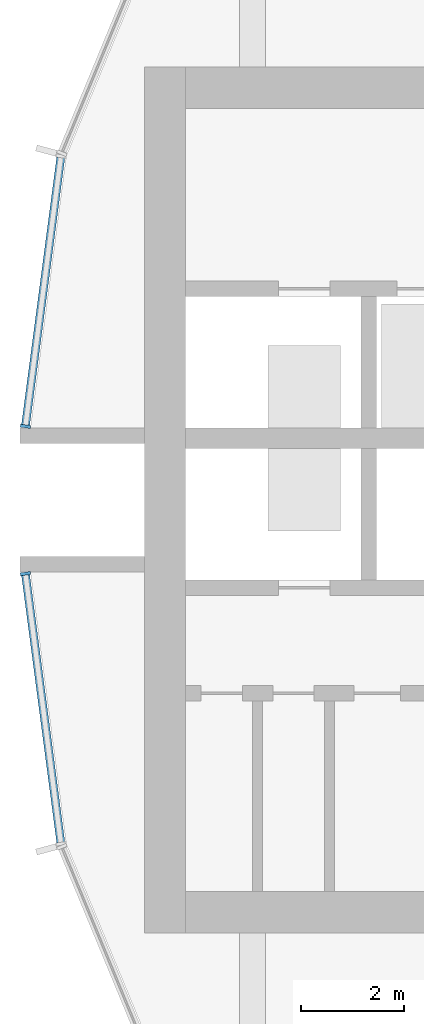
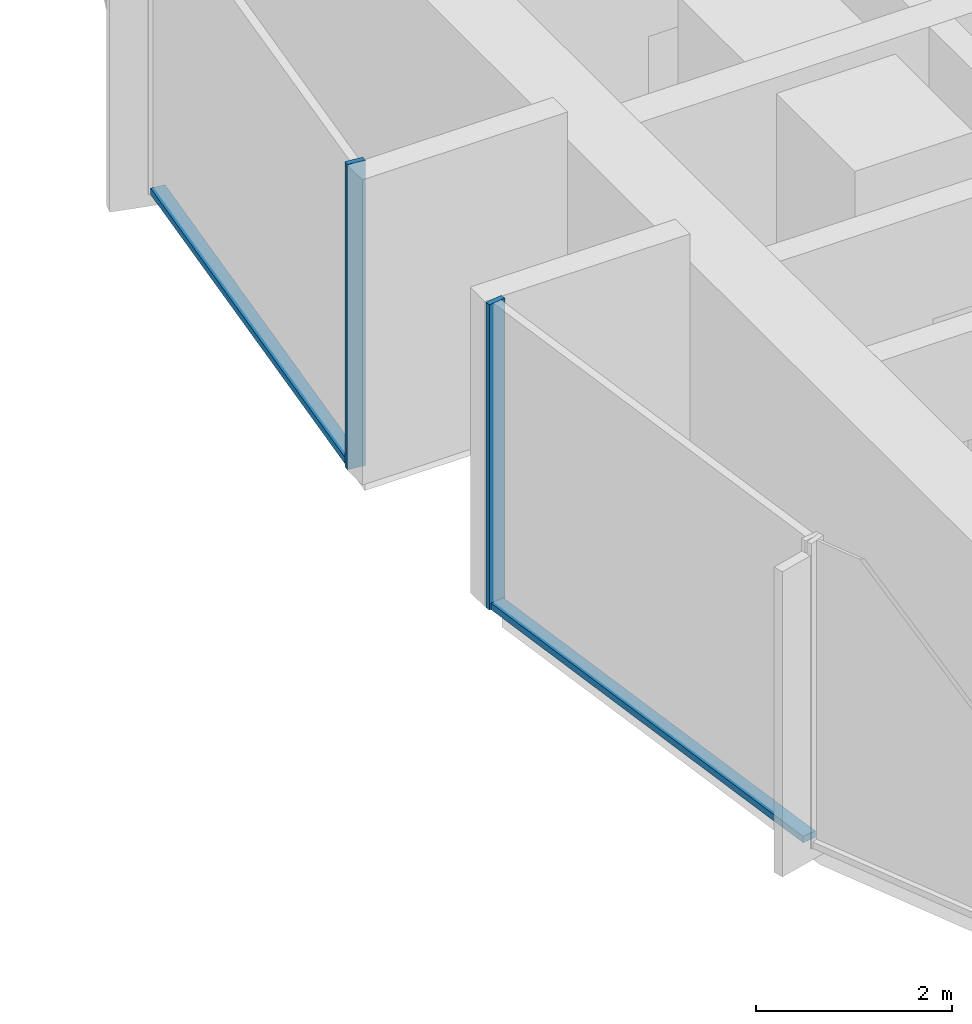
# One storey, part 3 of 15: 4 members, 2 elements without a shape of their own.
"""IFC4 building model written with IfcOpenShell, lengths in metres."""

import ifcopenshell
import ifcopenshell.guid

model = None  # the IFC model being written
_history = None  # IfcOwnerHistory: only IFC2X3 demands one
_inside = {}  # id of a spatial element -> (the spatial element, [elements in it])
_under = {}  # id of a project, library or spatial element -> (it, [spatial elements below it])
_declared = {}  # id of a project -> (the project, [libraries it declares])
_typed = {}  # id of a type object -> (the type object, [elements of that type])
_made_of = {}  # id of a material, layer set ... -> (it, [elements and type objects made of it])


def new_model(schema):
    """Start an empty IFC model of exactly this schema.

    Asked for "IFC4X3", IfcOpenShell would pick the latest addendum, in which some entities
    have other attributes; the version numbers below select the first issue.
    IFC2X3 requires an IfcOwnerHistory on every rooted entity: one is made here for all.
    """
    global model, _history
    if schema == "IFC4X3":
        model = ifcopenshell.file(schema_version=(4, 3, 0, 0))
    else:
        model = ifcopenshell.file(schema=schema)
    _inside.clear()
    _under.clear()
    _declared.clear()
    _typed.clear()
    _made_of.clear()
    _history = None
    if model.schema == "IFC2X3":
        org = make("IfcOrganization", Name="unknown")
        user = make(
            "IfcPersonAndOrganization",
            ThePerson=make("IfcPerson", FamilyName="unknown"),
            TheOrganization=org,
        )
        app = make(
            "IfcApplication",
            ApplicationDeveloper=org,
            Version="unknown",
            ApplicationFullName="unknown",
            ApplicationIdentifier="unknown",
        )
        _history = make(
            "IfcOwnerHistory",
            OwningUser=user,
            OwningApplication=app,
            ChangeAction="ADDED",
            CreationDate=0,
        )
    return model


def make(cls, **values):
    """One entity of the class cls with the attributes given. An attribute that is None is left unset."""
    return model.create_entity(
        cls, **{name: value for name, value in values.items() if value is not None}
    )


def rooted(cls, **values):
    """An entity with a GlobalId (a new one), such as an element, a storey or a relation."""
    return make(cls, GlobalId=ifcopenshell.guid.new(), OwnerHistory=_history, **values)


def si_unit(unit_type, name, prefix=None):
    """IfcSIUnit, for example si_unit("LENGTHUNIT", "METRE", prefix="MILLI")."""
    return make("IfcSIUnit", UnitType=unit_type, Prefix=prefix, Name=name)


def assignment(units):
    """IfcUnitAssignment: the units of a project."""
    return None if units is None else make("IfcUnitAssignment", Units=units)


def point(xyz):
    """IfcCartesianPoint."""
    return None if xyz is None else make("IfcCartesianPoint", Coordinates=xyz)


def direction(xyz):
    """IfcDirection."""
    return None if xyz is None else make("IfcDirection", DirectionRatios=xyz)


def frame(location, z_axis=None, x_axis=None):
    """IfcAxis2Placement3D, a coordinate frame: its origin and axes. An axis left out is left unset."""
    return make(
        "IfcAxis2Placement3D",
        Location=point(location),
        Axis=direction(z_axis),
        RefDirection=direction(x_axis),
    )


def frame_2d(location, x_axis=None):
    """IfcAxis2Placement2D, a coordinate frame in the plane: its origin and x axis."""
    return make(
        "IfcAxis2Placement2D", Location=point(location), RefDirection=direction(x_axis)
    )


def origin():
    """The frame at (0, 0, 0) with its axes left unset."""
    return frame((0.0, 0.0, 0.0))


def origin_2d():
    """The frame at (0, 0) in the plane with its x axis left unset."""
    return frame_2d((0.0, 0.0))


def place(relative_to, where):
    """IfcLocalPlacement: puts the frame where relative to a parent placement (None: the world)."""
    return make(
        "IfcLocalPlacement", PlacementRelTo=relative_to, RelativePlacement=where
    )


def context(
    kind, dimensions, precision=None, world=None, true_north=None, identifier=None
):
    """IfcGeometricRepresentationContext, for example the 3D "Model" context."""
    return make(
        "IfcGeometricRepresentationContext",
        ContextIdentifier=identifier,
        ContextType=kind,
        CoordinateSpaceDimension=dimensions,
        Precision=precision,
        WorldCoordinateSystem=world,
        TrueNorth=true_north,
    )


def subcontext(parent, identifier, kind, view, scale=None):
    """IfcGeometricRepresentationSubContext, for example "Body" below "Model"."""
    return make(
        "IfcGeometricRepresentationSubContext",
        ContextIdentifier=identifier,
        ContextType=kind,
        ParentContext=parent,
        TargetScale=scale,
        TargetView=view,
    )


def project(units=None, contexts=None):
    """IfcProject with its units and contexts."""
    return rooted(
        "IfcProject",
        Name="project",
        RepresentationContexts=contexts,
        UnitsInContext=assignment(units),
    )


def spatial(cls, under=None, at=None, **own):
    """A site, building, storey or space (cls), placed at a placement, below another one or the project."""
    s = rooted(cls, ObjectPlacement=at, **own)
    if under is not None:
        _under.setdefault(under.id(), (under, []))[1].append(s)
    return s


def profile(cls, at=None, kind="AREA", **sizes):
    """A parametric profile (cls). Its sizes go by their IFC names, for example OverallWidth=200.0."""
    return make(cls, ProfileType=kind, Position=at, **sizes)


def rectangle(**sizes):
    """IfcRectangleProfileDef."""
    return profile("IfcRectangleProfileDef", **sizes)


def extrude(swept, where, along, depth):
    """IfcExtrudedAreaSolid: the profile swept, set in the frame where, extruded along a direction by depth."""
    return make(
        "IfcExtrudedAreaSolid",
        SweptArea=swept,
        Position=where,
        ExtrudedDirection=direction(along),
        Depth=depth,
    )


def shape(context_of_items, identifier, shape_type, items):
    """IfcShapeRepresentation: the items that make up one representation, for example the "Body"."""
    return make(
        "IfcShapeRepresentation",
        ContextOfItems=context_of_items,
        RepresentationIdentifier=identifier,
        RepresentationType=shape_type,
        Items=items,
    )


def material(Name=None, Category=None):
    """IfcMaterial."""
    return make("IfcMaterial", Name=Name, Category=Category)


def layer(
    of_material, thickness, ventilated=None, Name=None, Category=None, Priority=None
):
    """IfcMaterialLayer: one layer of a wall or slab, of a material (None: an air gap)."""
    return make(
        "IfcMaterialLayer",
        Material=of_material,
        LayerThickness=thickness,
        IsVentilated=ventilated,
        Name=Name,
        Category=Category,
        Priority=Priority,
    )


def layer_set(layers, Name=None):
    """IfcMaterialLayerSet."""
    return make("IfcMaterialLayerSet", MaterialLayers=layers, LayerSetName=Name)


def material_profile(
    of_material, cross_section, Name=None, Category=None, Priority=None
):
    """IfcMaterialProfile: a cross section and its material."""
    return make(
        "IfcMaterialProfile",
        Name=Name,
        Material=of_material,
        Profile=cross_section,
        Priority=Priority,
        Category=Category,
    )


def profile_set(profiles, Name=None, composite=None):
    """IfcMaterialProfileSet."""
    return make(
        "IfcMaterialProfileSet",
        Name=Name,
        MaterialProfiles=profiles,
        CompositeProfile=composite,
    )


def made_of(thing, what):
    """Note that an element or type object is made of a material, layer set ...; save() writes the relation."""
    if what is not None:
        _made_of.setdefault(what.id(), (what, []))[1].append(thing)
    return thing


def type_object(cls, material=None, **own):
    """A type object (cls), such as IfcWallType, which elements share."""
    return made_of(rooted(cls, **own), material)


def element(
    cls,
    number,
    at=None,
    inside=None,
    cuts=None,
    type_object=None,
    material=None,
    context=None,
    identifier="Body",
    shape_type=None,
    held_by="IfcProductDefinitionShape",
    body=None,
    shapes=None,
    **own,
):
    """One element of the class cls, such as IfcWall. Its Tag is "e" and its number.

    at: its placement. inside: the storey or other place that contains it. cuts: it is an
    opening in that element (IfcRelVoidsElement). A single representation is given by context,
    identifier, shape_type and body (its items); several are given by shapes. held_by: the class
    of the entity that holds the representations. save() writes the other relations.
    """
    e = rooted(cls, Tag="e%d" % number, ObjectPlacement=at, **own)
    if body is not None:
        shapes = [shape(context, identifier, shape_type, body)]
    if shapes is not None:
        e.Representation = make(held_by, Representations=shapes)
    if inside is not None:
        _inside.setdefault(inside.id(), (inside, []))[1].append(e)
    if cuts is not None:
        rooted(
            "IfcRelVoidsElement", RelatingBuildingElement=cuts, RelatedOpeningElement=e
        )
    if type_object is not None:
        _typed.setdefault(type_object.id(), (type_object, []))[1].append(e)
    return made_of(e, material)


def aggregate(whole, parts):
    """IfcRelAggregates: a whole, such as a stair, and the parts it consists of."""
    return rooted("IfcRelAggregates", RelatingObject=whole, RelatedObjects=parts)


def save(model, path):
    """Write the relations noted so far, then the file.

    IfcRelAggregates (storeys below a building ...), IfcRelContainedInSpatialStructure (elements
    in a storey), IfcRelDefinesByType, IfcRelAssociatesMaterial and IfcRelDeclares: one each for
    every whole, place, type object, material and project.
    """
    for whole, parts in _under.values():
        aggregate(whole, parts)
    for where, things in _inside.values():
        rooted(
            "IfcRelContainedInSpatialStructure",
            RelatedElements=things,
            RelatingStructure=where,
        )
    for kind, things in _typed.values():
        rooted("IfcRelDefinesByType", RelatedObjects=things, RelatingType=kind)
    for what, things in _made_of.values():
        rooted("IfcRelAssociatesMaterial", RelatedObjects=things, RelatingMaterial=what)
    for by, libraries in _declared.values():
        rooted("IfcRelDeclares", RelatingContext=by, RelatedDefinitions=libraries)
    model.write(path)


model = new_model("IFC4")

# Units and contexts
model_context = context("Model", 3, precision=1e-05, world=origin(), true_north=direction((0.0, 1.0)))
body_context = subcontext(model_context, "Body", "Model", "MODEL_VIEW")
ifc_project = project(units=[si_unit("LENGTHUNIT", "METRE"), si_unit("AREAUNIT", "SQUARE_METRE"), si_unit("VOLUMEUNIT", "CUBIC_METRE"), si_unit("PLANEANGLEUNIT", "RADIAN"), si_unit("MASSUNIT", "GRAM", prefix="KILO")], contexts=[model_context])

# Site, building, storey
site_placement = place(None, origin())
site = spatial("IfcSite", under=ifc_project, at=site_placement, CompositionType="ELEMENT")
building_placement = place(site_placement, origin())
building = spatial("IfcBuilding", under=site, at=building_placement, Name="Torre Brocal", CompositionType="ELEMENT")
storey_placement = place(building_placement, frame((0.0, 0.0, 105.199951171875)))
storey = spatial("IfcBuildingStorey", under=building, at=storey_placement, Name="L24", CompositionType="ELEMENT", Elevation=105.199951171875)

# Curtain wall, member
ifc_material_1 = material(Name="Aluminium and glass", Category="aluminium")
ifc_layer = layer(ifc_material_1, 0.199951171875)
ifc_layer_set = layer_set([ifc_layer], Name="Aluminium and glass")
curtain_wall_type = type_object("IfcCurtainWallType", Name="CW-1B CURTAIN WALL 3800 HIGH", PredefinedType="NOTDEFINED", material=ifc_layer_set)
curtain_wall_1_placement = place(storey_placement, origin())
curtain_wall_1 = element("IfcCurtainWall", 1, at=curtain_wall_1_placement, inside=storey, type_object=curtain_wall_type, Name="CW-1B RUN 12", PredefinedType="NOTDEFINED")
ifc_material_2 = material(Name="Aluminium, dark anodised", Category="aluminium")
ifc_material_profile_1 = material_profile(ifc_material_2, rectangle(XDim=0.199951171875, YDim=0.06005859375, at=origin_2d()), Name="CW-1B MULLION 60X200")
ifc_profile_set_1 = profile_set([ifc_material_profile_1], Name="Aluminium, dark anodised")
member_type_1 = type_object("IfcMemberType", Name="CW-1B MULLION 60X200", PredefinedType="MULLION", material=ifc_profile_set_1)
member_1_placement = place(storey_placement, frame((54.2890625, 76.4296875, 0.0), z_axis=(0.0, 0.0, 1.0), x_axis=(0.991444861374, -0.13052619222, 0.0)))
member_1 = element("IfcMember", 2, at=member_1_placement, type_object=member_type_1, Name="CW1B-1 mullion 2", PredefinedType="MULLION", context=body_context, shape_type="SweptSolid", body=[
    extrude(rectangle(XDim=0.199951171875, YDim=0.06005859375, at=origin_2d()), origin(), (0.0, 0.0, 1.0), 3.800048828125),
])

curtain_wall_2_placement = place(storey_placement, origin())
curtain_wall_2 = element("IfcCurtainWall", 3, at=curtain_wall_2_placement, inside=storey, type_object=curtain_wall_type, Name="CW-1B RUN 13", PredefinedType="NOTDEFINED")
member_2_placement = place(storey_placement, frame((54.2890625, 73.5703125, 0.0), z_axis=(0.0, 0.0, 1.0), x_axis=(0.991444861374, 0.13052619222, 0.0)))
member_2 = element("IfcMember", 4, at=member_2_placement, type_object=member_type_1, Name="CW1B-1 mullion 1", PredefinedType="MULLION", context=body_context, shape_type="SweptSolid", body=[
    extrude(rectangle(XDim=0.199951171875, YDim=0.06005859375, at=origin_2d()), origin(), (0.0, 0.0, 1.0), 3.800048828125),
])

# Member
ifc_material_3 = material(Name="Aluminium, dark anodised", Category="aluminium")
ifc_material_profile_2 = material_profile(ifc_material_3, rectangle(XDim=0.159912109375, YDim=0.080078125, at=origin_2d()), Name="CW-1B TRANSOM 160X80")
ifc_profile_set_2 = profile_set([ifc_material_profile_2], Name="Aluminium, dark anodised")
member_type_2 = type_object("IfcMemberType", Name="CW-1B TRANSOM 160X80", PredefinedType="USERDEFINED", material=ifc_profile_set_2)
member_3_placement = place(storey_placement, frame((54.9755859375, 81.643798828125, 0.0400390625), z_axis=(-0.130542677827, -0.991442690863, 0.0), x_axis=(0.991442690863, -0.130542677827, 0.0)))
member_3 = element("IfcMember", 5, at=member_3_placement, type_object=member_type_2, Name="CW1B-1 transom 1.1", ObjectType="TRANSOM", PredefinedType="USERDEFINED", context=body_context, shape_type="SweptSolid", body=[
    extrude(rectangle(XDim=0.159912109375, YDim=0.080078125, at=origin_2d()), origin(), (0.0, 0.0, 1.0), 5.22900390625),
])

aggregate(curtain_wall_1, [member_1, member_3])

member_4_placement = place(storey_placement, frame((54.29296875, 73.54052734375, 0.0400390625), z_axis=(0.130542677827, -0.991442690863, 0.0), x_axis=(0.991442690863, 0.130542677827, 0.0)))
member_4 = element("IfcMember", 6, at=member_4_placement, type_object=member_type_2, Name="CW1B-1 transom 1.1", ObjectType="TRANSOM", PredefinedType="USERDEFINED", context=body_context, shape_type="SweptSolid", body=[
    extrude(rectangle(XDim=0.159912109375, YDim=0.080078125, at=origin_2d()), origin(), (0.0, 0.0, 1.0), 5.22900390625),
])

aggregate(curtain_wall_2, [member_2, member_4])

save(model, "model.ifc")
